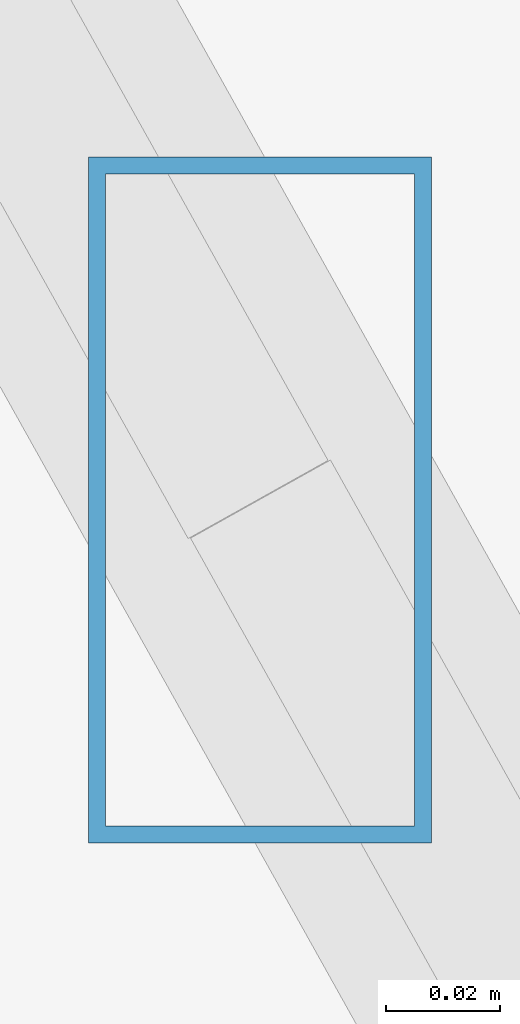
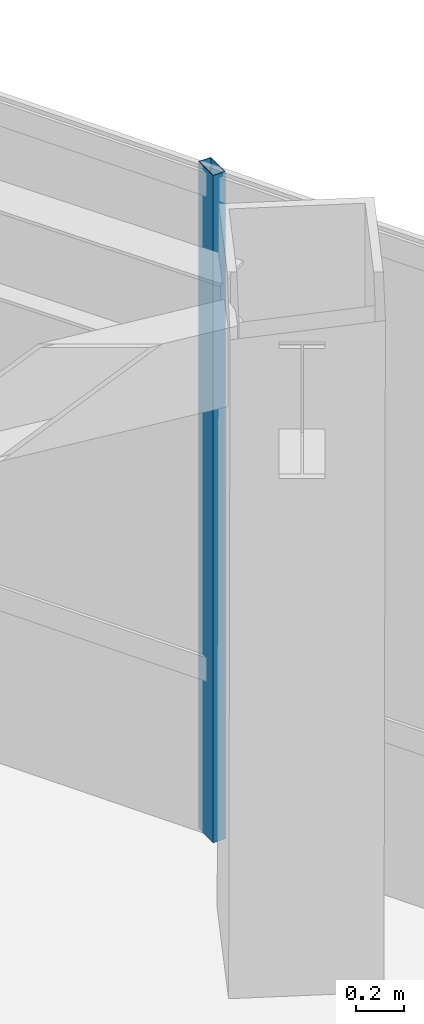
# One storey, part 23 of 48: 1 member, 1 element without a shape of its own.
"""IFC4 building model written with IfcOpenShell, lengths in metres."""

from ifc_helpers import new_model, si_unit, direction, frame, origin, origin_2d, place, context, subcontext, project, spatial, hollow_rectangle, extrude, source, transform, mapped, material, material_profile, profile_set, type_object, type_shapes, element, aggregate, save


model = new_model("IFC4")

# Units and contexts
model_context = context("Model", 3, precision=1e-05, world=origin(), true_north=direction((0.0, 1.0)))
body_context = subcontext(model_context, "Body", "Model", "MODEL_VIEW")
ifc_project = project(units=[si_unit("LENGTHUNIT", "METRE"), si_unit("AREAUNIT", "SQUARE_METRE"), si_unit("VOLUMEUNIT", "CUBIC_METRE"), si_unit("PLANEANGLEUNIT", "RADIAN"), si_unit("MASSUNIT", "GRAM", prefix="KILO")], contexts=[model_context])

# Site, building, storey
site_placement = place(None, origin())
site = spatial("IfcSite", under=ifc_project, at=site_placement, CompositionType="ELEMENT")
building_placement = place(site_placement, origin())
building = spatial("IfcBuilding", under=site, at=building_placement, Name="Caelisora Broadcast Tower", CompositionType="ELEMENT")
storey_placement = place(building_placement, frame((0.0, 0.0, 270.0)))
storey = spatial("IfcBuildingStorey", under=building, at=storey_placement, Name="L71", CompositionType="ELEMENT", Elevation=270.0)

# Curtain wall, member
ifc_material_1 = material(Name="Unitised Aluminium and Low-E Glass Curtain Wall", Category="glass")
curtain_wall_type = type_object("IfcCurtainWallType", Name="CW-Z5", PredefinedType="NOTDEFINED", material=ifc_material_1)
curtain_wall_placement = place(storey_placement, origin())
curtain_wall = element("IfcCurtainWall", 1, at=curtain_wall_placement, inside=storey, type_object=curtain_wall_type, Name="L71 curtain wall CW-Z5", PredefinedType="NOTDEFINED")
ifc_material_2 = material(Name="Aluminium 6063-T6 Anodised Terracotta Bronze", Category="aluminium")
ifc_material_profile = material_profile(ifc_material_2, hollow_rectangle(XDim=0.06005859375, YDim=0.1201171875, WallThickness=0.0029296875, at=origin_2d()), Name="Aluminium 6063-T6 Anodised Terracotta Bronze")
ifc_profile_set = profile_set([ifc_material_profile], Name="Aluminium 6063-T6 Anodised Terracotta Bronze")
member_type = type_object("IfcMemberType", Name="CWM-04", PredefinedType="MULLION", material=ifc_profile_set)
shared_shape = source(origin(), body_context, "Body", "SweptSolid", [
    extrude(hollow_rectangle(XDim=0.06005859375, YDim=0.1201171875, WallThickness=0.0029296875, at=origin_2d()), origin(), (0.0, 0.0, 1.0), 3.39990234375),
])
type_shapes(member_type, [shared_shape])
member_placement = place(storey_placement, frame((59.5244140625, 16.623291015625, 0.0), z_axis=(0.0, 0.0, 1.0), x_axis=(1.0, 0.0, 0.0)))
member = element("IfcMember", 2, at=member_placement, type_object=member_type, Name="L71-CW-B03 mullion #2", PredefinedType="MULLION", context=body_context, shape_type="MappedRepresentation", body=[
    mapped(shared_shape, transform((0.0, 0.0, 0.0), scale=1.0)),
])
aggregate(curtain_wall, [member])

save(model, "model.ifc")
